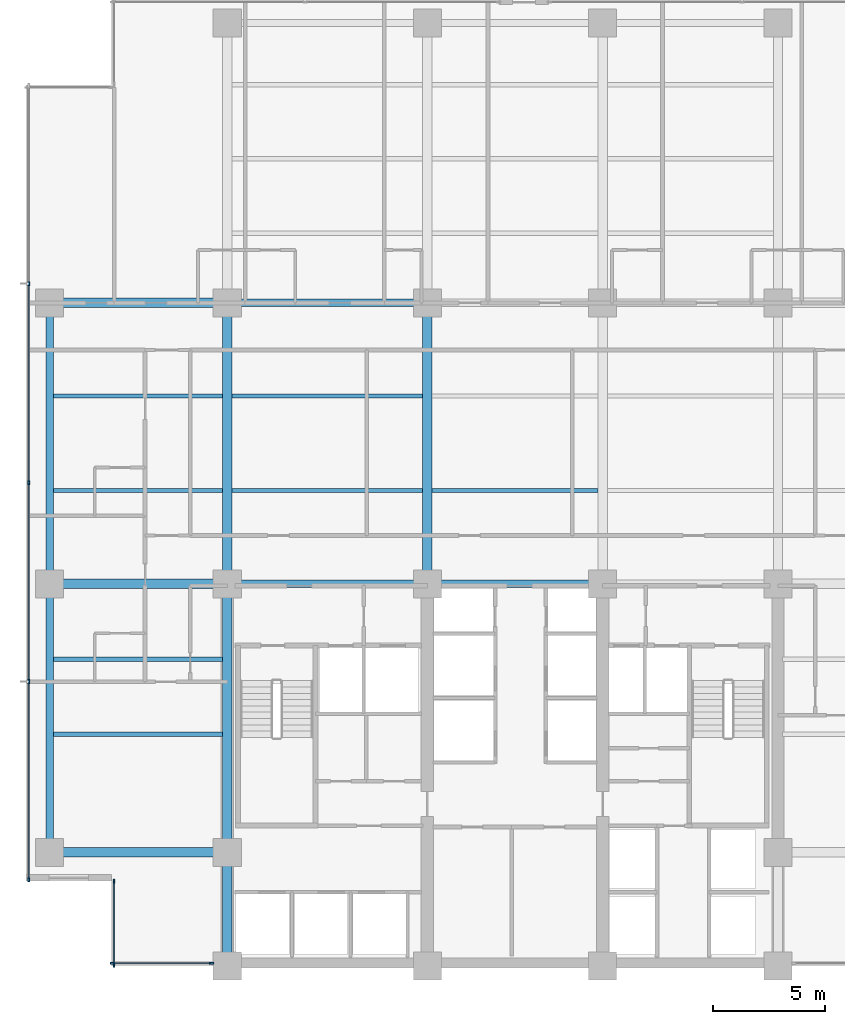
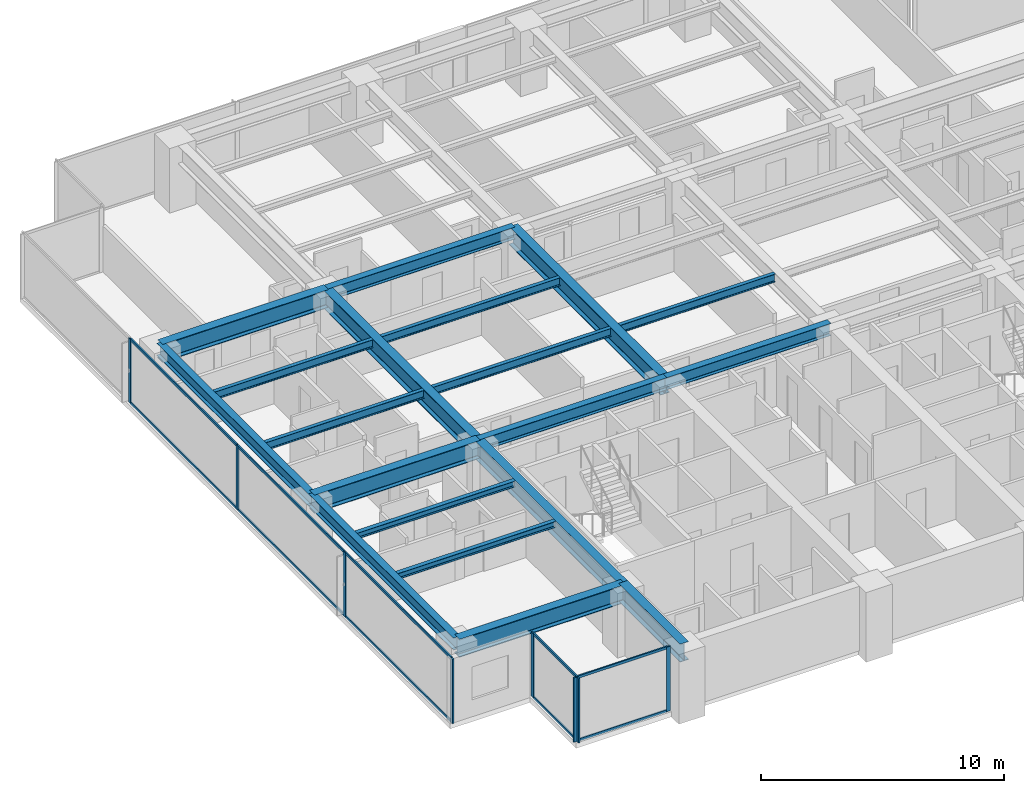
# One storey, part 2 of 17: 19 beams, 18 members, 3 elements without a shape of their own.
"""IFC4 building model written with IfcOpenShell, lengths in metres."""

from ifc_helpers import new_model, si_unit, direction, frame, origin, origin_2d, place, context, subcontext, project, spatial, rectangle, i_section, extrude, material, layer, layer_set, material_profile, profile_set, type_object, element, aggregate, save


model = new_model("IFC4")

# Units and contexts
model_context = context("Model", 3, precision=1e-05, world=origin(), true_north=direction((0.0, 1.0)))
body_context = subcontext(model_context, "Body", "Model", "MODEL_VIEW")
ifc_project = project(units=[si_unit("LENGTHUNIT", "METRE"), si_unit("AREAUNIT", "SQUARE_METRE"), si_unit("VOLUMEUNIT", "CUBIC_METRE"), si_unit("PLANEANGLEUNIT", "RADIAN"), si_unit("MASSUNIT", "GRAM", prefix="KILO")], contexts=[model_context])

# Site, building, storey
site_placement = place(None, origin())
site = spatial("IfcSite", under=ifc_project, at=site_placement, CompositionType="ELEMENT")
building_placement = place(site_placement, origin())
building = spatial("IfcBuilding", under=site, at=building_placement, Name="Qalmaran Belvedere Hotel", CompositionType="ELEMENT")
storey_placement = place(building_placement, frame((0.0, 0.0, 109.199951171875)))
storey = spatial("IfcBuildingStorey", under=building, at=storey_placement, Name="L27", CompositionType="ELEMENT", Elevation=109.199951171875)

# Beams
ifc_material_1 = material(Name="Steel S355JR", Category="steel")
ifc_material_profile_1 = material_profile(ifc_material_1, i_section(OverallWidth=0.202880859375, OverallDepth=0.302978515625, WebThickness=0.007568359375, FlangeThickness=0.01318359375, FilletRadius=0.012939453125, at=origin_2d()), Name="W310X60")
ifc_profile_set_1 = profile_set([ifc_material_profile_1], Name="Steel S355JR")
beam_type_1 = type_object("IfcBeamType", Name="BM-JST-W310X60", PredefinedType="JOIST", material=ifc_profile_set_1)
for number, where, z_axis, x_axis, name in (
    (1, (12.5615234375, 13.800048828125, 3.088623046875), (1.0, 0.0, 0.0), (0.0, 1.0, 0.0), "L27 West Wing Joist 038"),
    (2, (12.5615234375, 17.14990234375, 3.088623046875), (1.0, 0.0, 0.0), (0.0, 1.0, 0.0), "L27 West Wing Joist 040"),
):
    element("IfcBeam", number, at=place(storey_placement, frame(where, z_axis=z_axis, x_axis=x_axis)), inside=storey, type_object=beam_type_1, Name=name, PredefinedType="JOIST", context=body_context, shape_type="SweptSolid", body=[
        extrude(i_section(OverallWidth=0.202880859375, OverallDepth=0.302978515625, WebThickness=0.007568359375, FlangeThickness=0.01318359375, FilletRadius=0.012939453125, at=origin_2d()), origin(), (0.0, 0.0, 1.0), 7.531494140625),
    ])
ifc_material_profile_2 = material_profile(ifc_material_1, i_section(OverallWidth=0.41796875, OverallDepth=0.912109375, WebThickness=0.019287109375, FlangeThickness=0.031982421875, FilletRadius=0.02392578125, at=origin_2d()), Name="W920X342")
ifc_profile_set_2 = profile_set([ifc_material_profile_2], Name="Steel S355JR")
beam_type_2 = type_object("IfcBeamType", Name="BM-PG2-W920X342", PredefinedType="USERDEFINED", material=ifc_profile_set_2)
for number, where, z_axis, x_axis, name in (
    (3, (20.300048828125, 20.5, 2.783935546875), (0.0, 1.0, 0.0), (-1.0, 0.0, 0.0), "L27 Mid-Plate N-S Girder 14"),
    (4, (29.199951171875, 20.5, 2.783935546875), (0.0, 1.0, 0.0), (-1.0, 0.0, 0.0), "L27 Mid-Plate N-S Girder 16"),
):
    element("IfcBeam", number, at=place(storey_placement, frame(where, z_axis=z_axis, x_axis=x_axis)), inside=storey, type_object=beam_type_2, Name=name, ObjectType="GIRDER", PredefinedType="USERDEFINED", context=body_context, shape_type="SweptSolid", body=[
        extrude(i_section(OverallWidth=0.41796875, OverallDepth=0.912109375, WebThickness=0.019287109375, FlangeThickness=0.031982421875, FilletRadius=0.02392578125, at=origin_2d()), origin(), (0.0, 0.0, 1.0), 12.5),
    ])
for number, where, z_axis, x_axis, name in (
    (5, (12.39990234375, 8.550048828125, 2.783935546875), (1.0, 0.0, 0.0), (0.0, 1.0, 0.0), "L27 West Wing Girder 22"),
    (6, (12.39990234375, 20.5, 2.783935546875), (1.0, 0.0, 0.0), (0.0, 1.0, 0.0), "L27 West Wing Girder 23"),
    (7, (12.39990234375, 33.0, 2.783935546875), (1.0, 0.0, 0.0), (0.0, 1.0, 0.0), "L27 West Wing Girder 24"),
):
    element("IfcBeam", number, at=place(storey_placement, frame(where, z_axis=z_axis, x_axis=x_axis)), inside=storey, type_object=beam_type_2, Name=name, ObjectType="GIRDER", PredefinedType="USERDEFINED", context=body_context, shape_type="SweptSolid", body=[
        extrude(i_section(OverallWidth=0.41796875, OverallDepth=0.912109375, WebThickness=0.019287109375, FlangeThickness=0.031982421875, FilletRadius=0.02392578125, at=origin_2d()), origin(), (0.0, 0.0, 1.0), 7.900146484375),
    ])
beam_1_placement = place(storey_placement, frame((20.300048828125, 3.5, 2.783935546875), z_axis=(0.0, 1.0, 0.0), x_axis=(-1.0, 0.0, 0.0)))
element("IfcBeam", 8, at=beam_1_placement, inside=storey, type_object=beam_type_2, Name="L27 West Core Edge Girder A", ObjectType="GIRDER", PredefinedType="USERDEFINED", context=body_context, shape_type="SweptSolid", body=[
    extrude(i_section(OverallWidth=0.41796875, OverallDepth=0.912109375, WebThickness=0.019287109375, FlangeThickness=0.031982421875, FilletRadius=0.02392578125, at=origin_2d()), origin(), (0.0, 0.0, 1.0), 5.050048828125),
])
beam_2_placement = place(storey_placement, frame((20.300048828125, 8.550048828125, 2.783935546875), z_axis=(0.0, 1.0, 0.0), x_axis=(-1.0, 0.0, 0.0)))
element("IfcBeam", 9, at=beam_2_placement, inside=storey, type_object=beam_type_2, Name="L27 West Core Edge Girder B", ObjectType="GIRDER", PredefinedType="USERDEFINED", context=body_context, shape_type="SweptSolid", body=[
    extrude(i_section(OverallWidth=0.41796875, OverallDepth=0.912109375, WebThickness=0.019287109375, FlangeThickness=0.031982421875, FilletRadius=0.02392578125, at=origin_2d()), origin(), (0.0, 0.0, 1.0), 11.949951171875),
])
ifc_material_profile_3 = material_profile(ifc_material_1, i_section(OverallWidth=0.177978515625, OverallDepth=0.406982421875, WebThickness=0.0078125, FlangeThickness=0.0126953125, FilletRadius=0.014892578125, at=origin_2d()), Name="W410X60")
ifc_profile_set_3 = profile_set([ifc_material_profile_3], Name="Steel S355JR")
beam_type_3 = type_object("IfcBeamType", Name="BM-SB2-W410X60", PredefinedType="BEAM", material=ifc_profile_set_3)
beam_3_placement = place(storey_placement, frame((12.5615234375, 24.64990234375, 3.03662109375), z_axis=(1.0, 0.0, 0.0), x_axis=(0.0, 1.0, 0.0)))
element("IfcBeam", 10, at=beam_3_placement, inside=storey, type_object=beam_type_3, Name="L27 West Secondary Beam 028", PredefinedType="BEAM", context=body_context, shape_type="SweptSolid", body=[
    extrude(i_section(OverallWidth=0.177978515625, OverallDepth=0.406982421875, WebThickness=0.0078125, FlangeThickness=0.0126953125, FilletRadius=0.014892578125, at=origin_2d()), origin(), (0.0, 0.0, 1.0), 7.531494140625),
])
beam_4_placement = place(storey_placement, frame((20.507080078125, 24.64990234375, 3.03662109375), z_axis=(1.0, 0.0, 0.0), x_axis=(0.0, 1.0, 0.0)))
element("IfcBeam", 11, at=beam_4_placement, inside=storey, type_object=beam_type_3, Name="L27 Secondary Floor Beam 029", PredefinedType="BEAM", context=body_context, shape_type="SweptSolid", body=[
    extrude(i_section(OverallWidth=0.177978515625, OverallDepth=0.406982421875, WebThickness=0.0078125, FlangeThickness=0.0126953125, FilletRadius=0.014892578125, at=origin_2d()), origin(), (0.0, 0.0, 1.0), 8.48583984375),
])
beam_5_placement = place(storey_placement, frame((29.406982421875, 24.64990234375, 3.03662109375), z_axis=(1.0, 0.0, 0.0), x_axis=(0.0, 1.0, 0.0)))
element("IfcBeam", 12, at=beam_5_placement, inside=storey, type_object=beam_type_3, Name="L27 Secondary Floor Beam 030", PredefinedType="BEAM", context=body_context, shape_type="SweptSolid", body=[
    extrude(i_section(OverallWidth=0.177978515625, OverallDepth=0.406982421875, WebThickness=0.0078125, FlangeThickness=0.0126953125, FilletRadius=0.014892578125, at=origin_2d()), origin(), (0.0, 0.0, 1.0), 7.385986328125),
])
beam_6_placement = place(storey_placement, frame((12.5615234375, 28.85009765625, 3.03662109375), z_axis=(1.0, 0.0, 0.0), x_axis=(0.0, 1.0, 0.0)))
element("IfcBeam", 13, at=beam_6_placement, inside=storey, type_object=beam_type_3, Name="L27 West Secondary Beam 033", PredefinedType="BEAM", context=body_context, shape_type="SweptSolid", body=[
    extrude(i_section(OverallWidth=0.177978515625, OverallDepth=0.406982421875, WebThickness=0.0078125, FlangeThickness=0.0126953125, FilletRadius=0.014892578125, at=origin_2d()), origin(), (0.0, 0.0, 1.0), 7.531494140625),
])
beam_7_placement = place(storey_placement, frame((20.507080078125, 28.85009765625, 3.03662109375), z_axis=(1.0, 0.0, 0.0), x_axis=(0.0, 1.0, 0.0)))
element("IfcBeam", 14, at=beam_7_placement, inside=storey, type_object=beam_type_3, Name="L27 Secondary Floor Beam 034", PredefinedType="BEAM", context=body_context, shape_type="SweptSolid", body=[
    extrude(i_section(OverallWidth=0.177978515625, OverallDepth=0.406982421875, WebThickness=0.0078125, FlangeThickness=0.0126953125, FilletRadius=0.014892578125, at=origin_2d()), origin(), (0.0, 0.0, 1.0), 8.48583984375),
])
ifc_material_profile_4 = material_profile(ifc_material_1, i_section(OverallWidth=0.326904296875, OverallDepth=0.6220703125, WebThickness=0.015380859375, FlangeThickness=0.0244140625, FilletRadius=0.02001953125, at=origin_2d()), Name="W610X195")
ifc_profile_set_4 = profile_set([ifc_material_profile_4], Name="Steel S355JR")
beam_type_4 = type_object("IfcBeamType", Name="BM-SP1-W610X195", PredefinedType="SPANDREL", material=ifc_profile_set_4)
beam_8_placement = place(storey_placement, frame((12.39990234375, 8.550048828125, 2.928955078125), z_axis=(0.0, 1.0, 0.0), x_axis=(-1.0, 0.0, 0.0)))
element("IfcBeam", 15, at=beam_8_placement, inside=storey, type_object=beam_type_4, Name="L27 Perimeter Spandrel 01", PredefinedType="SPANDREL", context=body_context, shape_type="SweptSolid", body=[
    extrude(i_section(OverallWidth=0.326904296875, OverallDepth=0.6220703125, WebThickness=0.015380859375, FlangeThickness=0.0244140625, FilletRadius=0.02001953125, at=origin_2d()), origin(), (0.0, 0.0, 1.0), 11.949951171875),
])
beam_9_placement = place(storey_placement, frame((12.39990234375, 20.5, 2.928955078125), z_axis=(0.0, 1.0, 0.0), x_axis=(-1.0, 0.0, 0.0)))
element("IfcBeam", 16, at=beam_9_placement, inside=storey, type_object=beam_type_4, Name="L27 Perimeter Spandrel 02", PredefinedType="SPANDREL", context=body_context, shape_type="SweptSolid", body=[
    extrude(i_section(OverallWidth=0.326904296875, OverallDepth=0.6220703125, WebThickness=0.015380859375, FlangeThickness=0.0244140625, FilletRadius=0.02001953125, at=origin_2d()), origin(), (0.0, 0.0, 1.0), 12.5),
])
ifc_material_profile_5 = material_profile(ifc_material_1, i_section(OverallWidth=0.323974609375, OverallDepth=0.611083984375, WebThickness=0.0126953125, FlangeThickness=0.01904296875, FilletRadius=0.02001953125, at=origin_2d()), Name="W610X155")
ifc_profile_set_5 = profile_set([ifc_material_profile_5], Name="Steel S355JR")
beam_type_5 = type_object("IfcBeamType", Name="BM-Z2-W610X155", PredefinedType="USERDEFINED", material=ifc_profile_set_5)
beam_10_placement = place(storey_placement, frame((20.300048828125, 20.5, 2.9345703125), z_axis=(1.0, 0.0, 0.0), x_axis=(0.0, 1.0, 0.0)))
element("IfcBeam", 17, at=beam_10_placement, inside=storey, type_object=beam_type_5, Name="L27 Interior E-W Girder 08", ObjectType="GIRDER", PredefinedType="USERDEFINED", context=body_context, shape_type="SweptSolid", body=[
    extrude(i_section(OverallWidth=0.323974609375, OverallDepth=0.611083984375, WebThickness=0.0126953125, FlangeThickness=0.01904296875, FilletRadius=0.02001953125, at=origin_2d()), origin(), (0.0, 0.0, 1.0), 8.89990234375),
])
beam_11_placement = place(storey_placement, frame((29.199951171875, 20.5, 2.9345703125), z_axis=(1.0, 0.0, 0.0), x_axis=(0.0, 1.0, 0.0)))
element("IfcBeam", 18, at=beam_11_placement, inside=storey, type_object=beam_type_5, Name="L27 Interior E-W Girder 09", ObjectType="GIRDER", PredefinedType="USERDEFINED", context=body_context, shape_type="SweptSolid", body=[
    extrude(i_section(OverallWidth=0.323974609375, OverallDepth=0.611083984375, WebThickness=0.0126953125, FlangeThickness=0.01904296875, FilletRadius=0.02001953125, at=origin_2d()), origin(), (0.0, 0.0, 1.0), 7.800048828125),
])
beam_12_placement = place(storey_placement, frame((20.300048828125, 33.0, 2.9345703125), z_axis=(1.0, 0.0, 0.0), x_axis=(0.0, 1.0, 0.0)))
element("IfcBeam", 19, at=beam_12_placement, inside=storey, type_object=beam_type_5, Name="L27 Interior E-W Girder 11", ObjectType="GIRDER", PredefinedType="USERDEFINED", context=body_context, shape_type="SweptSolid", body=[
    extrude(i_section(OverallWidth=0.323974609375, OverallDepth=0.611083984375, WebThickness=0.0126953125, FlangeThickness=0.01904296875, FilletRadius=0.02001953125, at=origin_2d()), origin(), (0.0, 0.0, 1.0), 8.89990234375),
])

# Curtain wall, members
ifc_material_2 = material(Name="Anodised Bronze Aluminium", Category="aluminium")
ifc_layer = layer(ifc_material_2, 0.199951171875, Name="Anodised Bronze Aluminium")
ifc_layer_set = layer_set([ifc_layer], Name="Anodised Bronze Aluminium")
curtain_wall_type = type_object("IfcCurtainWallType", Name="CW3-TOWER-LOWMID", PredefinedType="NOTDEFINED", material=ifc_layer_set)
curtain_wall_1_placement = place(storey_placement, origin())
curtain_wall_1 = element("IfcCurtainWall", 20, at=curtain_wall_1_placement, inside=storey, type_object=curtain_wall_type, Name="L27 Curtain Wall CW3", PredefinedType="NOTDEFINED")
ifc_material_profile_6 = material_profile(ifc_material_2, rectangle(XDim=0.070068359375, YDim=0.18994140625, at=origin_2d()), Name="CWM70X190")
ifc_profile_set_6 = profile_set([ifc_material_profile_6], Name="Anodised Bronze Aluminium")
member_type_1 = type_object("IfcMemberType", Name="CWM-70X190", PredefinedType="MULLION", material=ifc_profile_set_6)
member_1_placement = place(storey_placement, frame((15.18505859375, 3.6201171875, 0.0), z_axis=(0.0, 0.0, 1.0), x_axis=(0.0, 1.0, 0.0)))
member_1 = element("IfcMember", 21, at=member_1_placement, type_object=member_type_1, Name="CW3 mullion 1", PredefinedType="MULLION", context=body_context, shape_type="SweptSolid", body=[
    extrude(rectangle(XDim=0.070068359375, YDim=0.18994140625, at=origin_2d()), origin(), (0.0, 0.0, 1.0), 3.239990234375),
])
member_2_placement = place(storey_placement, frame((19.60009765625, 3.6201171875, 0.0), z_axis=(0.0, 0.0, 1.0), x_axis=(0.0, 1.0, 0.0)))
member_2 = element("IfcMember", 22, at=member_2_placement, type_object=member_type_1, Name="CW3 mullion 2", PredefinedType="MULLION", context=body_context, shape_type="SweptSolid", body=[
    extrude(rectangle(XDim=0.070068359375, YDim=0.18994140625, at=origin_2d()), origin(), (0.0, 0.0, 1.0), 3.239990234375),
])

curtain_wall_2_placement = place(storey_placement, origin())
curtain_wall_2 = element("IfcCurtainWall", 23, at=curtain_wall_2_placement, inside=storey, type_object=curtain_wall_type, Name="L27 Curtain Wall CW3", PredefinedType="NOTDEFINED")
member_3_placement = place(storey_placement, frame((11.469970703125, 33.85009765625, 0.0), z_axis=(0.0, 0.0, 1.0), x_axis=(1.0, 0.0, 0.0)))
member_3 = element("IfcMember", 24, at=member_3_placement, type_object=member_type_1, Name="CW3 mullion 2", PredefinedType="MULLION", context=body_context, shape_type="SweptSolid", body=[
    extrude(rectangle(XDim=0.070068359375, YDim=0.18994140625, at=origin_2d()), origin(), (0.0, 0.0, 1.0), 3.239990234375),
])
member_4_placement = place(storey_placement, frame((11.469970703125, 25.0, 0.0), z_axis=(0.0, 0.0, 1.0), x_axis=(1.0, 0.0, 0.0)))
member_4 = element("IfcMember", 25, at=member_4_placement, type_object=member_type_1, Name="CW3 mullion 3", PredefinedType="MULLION", context=body_context, shape_type="SweptSolid", body=[
    extrude(rectangle(XDim=0.070068359375, YDim=0.18994140625, at=origin_2d()), origin(), (0.0, 0.0, 1.0), 3.239990234375),
])
member_5_placement = place(storey_placement, frame((11.469970703125, 16.14990234375, 0.0), z_axis=(0.0, 0.0, 1.0), x_axis=(1.0, 0.0, 0.0)))
member_5 = element("IfcMember", 26, at=member_5_placement, type_object=member_type_1, Name="CW3 mullion 4", PredefinedType="MULLION", context=body_context, shape_type="SweptSolid", body=[
    extrude(rectangle(XDim=0.070068359375, YDim=0.18994140625, at=origin_2d()), origin(), (0.0, 0.0, 1.0), 3.239990234375),
])
member_6_placement = place(storey_placement, frame((11.469970703125, 7.3349609375, 0.0), z_axis=(0.0, 0.0, 1.0), x_axis=(1.0, 0.0, 0.0)))
member_6 = element("IfcMember", 27, at=member_6_placement, type_object=member_type_1, Name="CW3 mullion 5", PredefinedType="MULLION", context=body_context, shape_type="SweptSolid", body=[
    extrude(rectangle(XDim=0.070068359375, YDim=0.18994140625, at=origin_2d()), origin(), (0.0, 0.0, 1.0), 3.239990234375),
])

curtain_wall_3_placement = place(storey_placement, origin())
curtain_wall_3 = element("IfcCurtainWall", 28, at=curtain_wall_3_placement, inside=storey, type_object=curtain_wall_type, Name="L27 Curtain Wall CW3", PredefinedType="NOTDEFINED")
member_7_placement = place(storey_placement, frame((15.27001953125, 7.264892578125, 0.0), z_axis=(0.0, 0.0, 1.0), x_axis=(1.0, 0.0, 0.0)))
member_7 = element("IfcMember", 29, at=member_7_placement, type_object=member_type_1, Name="CW3 mullion 1", PredefinedType="MULLION", context=body_context, shape_type="SweptSolid", body=[
    extrude(rectangle(XDim=0.070068359375, YDim=0.18994140625, at=origin_2d()), origin(), (0.0, 0.0, 1.0), 3.239990234375),
])
member_8_placement = place(storey_placement, frame((15.27001953125, 3.534912109375, 0.0), z_axis=(0.0, 0.0, 1.0), x_axis=(1.0, 0.0, 0.0)))
member_8 = element("IfcMember", 30, at=member_8_placement, type_object=member_type_1, Name="CW3 mullion 2", PredefinedType="MULLION", context=body_context, shape_type="SweptSolid", body=[
    extrude(rectangle(XDim=0.070068359375, YDim=0.18994140625, at=origin_2d()), origin(), (0.0, 0.0, 1.0), 3.239990234375),
])

# Member
ifc_material_profile_7 = material_profile(ifc_material_2, rectangle(XDim=0.06494140625, YDim=0.1298828125, at=origin_2d()), Name="CWT65X130")
ifc_profile_set_7 = profile_set([ifc_material_profile_7], Name="Anodised Bronze Aluminium")
member_type_2 = type_object("IfcMemberType", Name="CWT-65X130", PredefinedType="USERDEFINED", material=ifc_profile_set_7)
member_9_placement = place(storey_placement, frame((15.219970703125, 3.6201171875, 0.032470703125), z_axis=(1.0, 0.0, 0.0), x_axis=(0.0, 1.0, 0.0)))
member_9 = element("IfcMember", 31, at=member_9_placement, type_object=member_type_2, Name="CW3 transom 1.1", ObjectType="TRANSOM", PredefinedType="USERDEFINED", context=body_context, shape_type="SweptSolid", body=[
    extrude(rectangle(XDim=0.06494140625, YDim=0.1298828125, at=origin_2d()), origin(), (0.0, 0.0, 1.0), 4.344970703125),
])

member_10_placement = place(storey_placement, frame((15.219970703125, 3.6201171875, 3.20751953125), z_axis=(1.0, 0.0, 0.0), x_axis=(0.0, 1.0, 0.0)))
member_10 = element("IfcMember", 32, at=member_10_placement, type_object=member_type_2, Name="CW3 transom 1.2", ObjectType="TRANSOM", PredefinedType="USERDEFINED", context=body_context, shape_type="SweptSolid", body=[
    extrude(rectangle(XDim=0.06494140625, YDim=0.1298828125, at=origin_2d()), origin(), (0.0, 0.0, 1.0), 4.344970703125),
])

aggregate(curtain_wall_1, [member_1, member_2, member_9, member_10])

member_11_placement = place(storey_placement, frame((11.469970703125, 33.81494140625, 0.032470703125), z_axis=(0.0, -1.0, 0.0), x_axis=(1.0, 0.0, 0.0)))
member_11 = element("IfcMember", 33, at=member_11_placement, type_object=member_type_2, Name="CW3 transom 2.1", ObjectType="TRANSOM", PredefinedType="USERDEFINED", context=body_context, shape_type="SweptSolid", body=[
    extrude(rectangle(XDim=0.06494140625, YDim=0.1298828125, at=origin_2d()), origin(), (0.0, 0.0, 1.0), 8.780029296875),
])

member_12_placement = place(storey_placement, frame((11.469970703125, 33.81494140625, 3.20751953125), z_axis=(0.0, -1.0, 0.0), x_axis=(1.0, 0.0, 0.0)))
member_12 = element("IfcMember", 34, at=member_12_placement, type_object=member_type_2, Name="CW3 transom 2.2", ObjectType="TRANSOM", PredefinedType="USERDEFINED", context=body_context, shape_type="SweptSolid", body=[
    extrude(rectangle(XDim=0.06494140625, YDim=0.1298828125, at=origin_2d()), origin(), (0.0, 0.0, 1.0), 8.780029296875),
])

member_13_placement = place(storey_placement, frame((11.469970703125, 24.965087890625, 0.032470703125), z_axis=(0.0, -1.0, 0.0), x_axis=(1.0, 0.0, 0.0)))
member_13 = element("IfcMember", 35, at=member_13_placement, type_object=member_type_2, Name="CW3 transom 3.1", ObjectType="TRANSOM", PredefinedType="USERDEFINED", context=body_context, shape_type="SweptSolid", body=[
    extrude(rectangle(XDim=0.06494140625, YDim=0.1298828125, at=origin_2d()), origin(), (0.0, 0.0, 1.0), 8.780029296875),
])

member_14_placement = place(storey_placement, frame((11.469970703125, 24.965087890625, 3.20751953125), z_axis=(0.0, -1.0, 0.0), x_axis=(1.0, 0.0, 0.0)))
member_14 = element("IfcMember", 36, at=member_14_placement, type_object=member_type_2, Name="CW3 transom 3.2", ObjectType="TRANSOM", PredefinedType="USERDEFINED", context=body_context, shape_type="SweptSolid", body=[
    extrude(rectangle(XDim=0.06494140625, YDim=0.1298828125, at=origin_2d()), origin(), (0.0, 0.0, 1.0), 8.780029296875),
])

member_15_placement = place(storey_placement, frame((11.469970703125, 16.114990234375, 0.032470703125), z_axis=(0.0, -1.0, 0.0), x_axis=(1.0, 0.0, 0.0)))
member_15 = element("IfcMember", 37, at=member_15_placement, type_object=member_type_2, Name="CW3 transom 4.1", ObjectType="TRANSOM", PredefinedType="USERDEFINED", context=body_context, shape_type="SweptSolid", body=[
    extrude(rectangle(XDim=0.06494140625, YDim=0.1298828125, at=origin_2d()), origin(), (0.0, 0.0, 1.0), 8.744873046875),
])

member_16_placement = place(storey_placement, frame((11.469970703125, 16.114990234375, 3.20751953125), z_axis=(0.0, -1.0, 0.0), x_axis=(1.0, 0.0, 0.0)))
member_16 = element("IfcMember", 38, at=member_16_placement, type_object=member_type_2, Name="CW3 transom 4.2", ObjectType="TRANSOM", PredefinedType="USERDEFINED", context=body_context, shape_type="SweptSolid", body=[
    extrude(rectangle(XDim=0.06494140625, YDim=0.1298828125, at=origin_2d()), origin(), (0.0, 0.0, 1.0), 8.744873046875),
])

aggregate(curtain_wall_2, [member_3, member_4, member_5, member_6, member_11, member_12, member_13, member_14, member_15, member_16])

member_17_placement = place(storey_placement, frame((15.27001953125, 7.22998046875, 0.032470703125), z_axis=(0.0, -1.0, 0.0), x_axis=(1.0, 0.0, 0.0)))
member_17 = element("IfcMember", 39, at=member_17_placement, type_object=member_type_2, Name="CW3 transom 1.1", ObjectType="TRANSOM", PredefinedType="USERDEFINED", context=body_context, shape_type="SweptSolid", body=[
    extrude(rectangle(XDim=0.06494140625, YDim=0.1298828125, at=origin_2d()), origin(), (0.0, 0.0, 1.0), 3.659912109375),
])

member_18_placement = place(storey_placement, frame((15.27001953125, 7.22998046875, 3.20751953125), z_axis=(0.0, -1.0, 0.0), x_axis=(1.0, 0.0, 0.0)))
member_18 = element("IfcMember", 40, at=member_18_placement, type_object=member_type_2, Name="CW3 transom 1.2", ObjectType="TRANSOM", PredefinedType="USERDEFINED", context=body_context, shape_type="SweptSolid", body=[
    extrude(rectangle(XDim=0.06494140625, YDim=0.1298828125, at=origin_2d()), origin(), (0.0, 0.0, 1.0), 3.659912109375),
])

aggregate(curtain_wall_3, [member_7, member_8, member_17, member_18])

save(model, "model.ifc")
